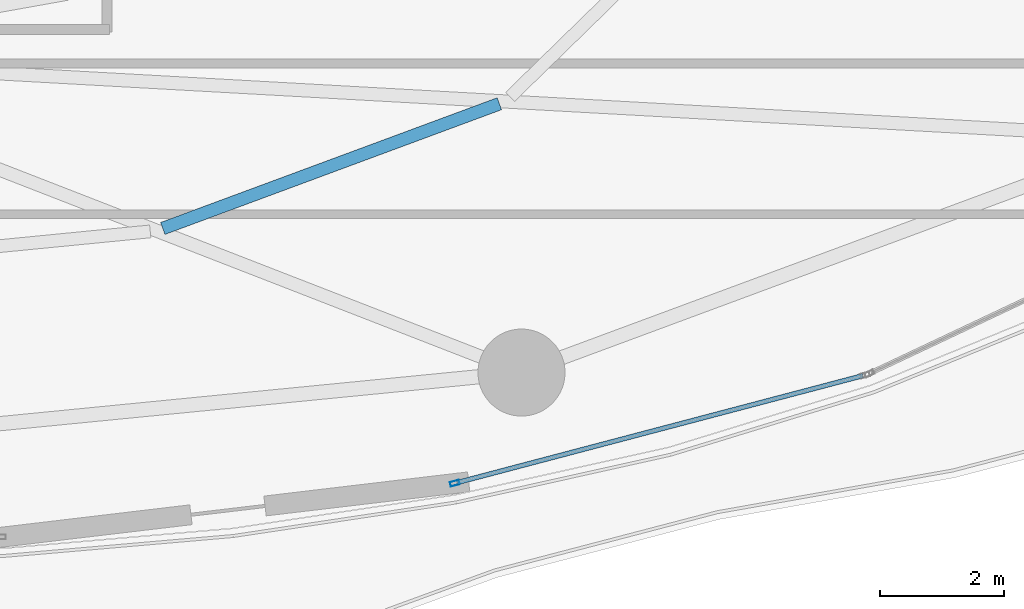
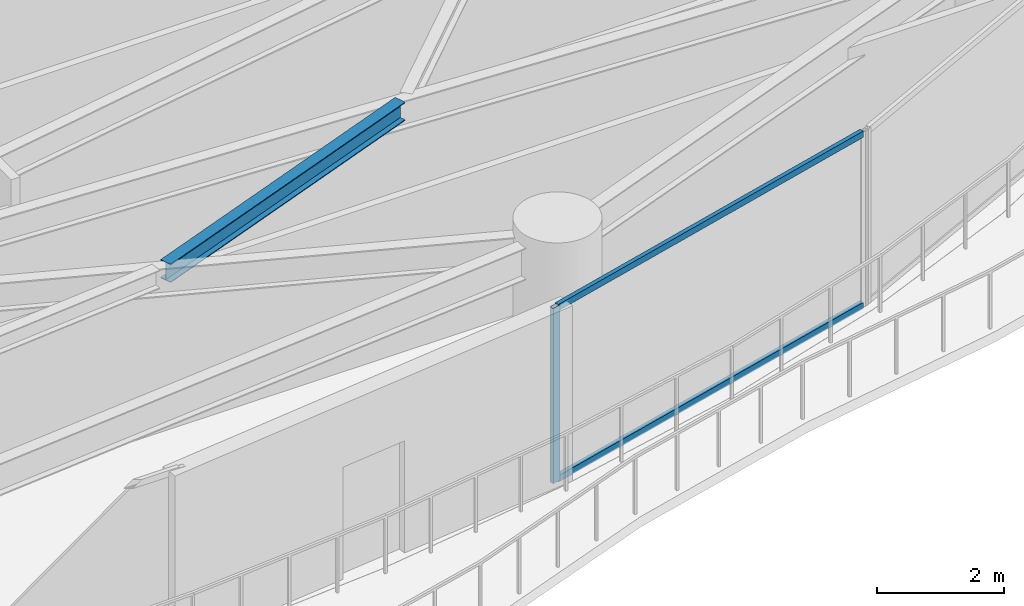
# One storey, part 12 of 32: 3 members, 1 beam, 1 element without a shape of its own.
"""IFC4 building model written with IfcOpenShell, lengths in metres."""

from ifc_helpers import new_model, si_unit, direction, frame, origin, origin_2d, place, context, subcontext, project, spatial, hollow_rectangle, i_section, extrude, material, layer, layer_set, material_profile, profile_set, type_object, element, aggregate, save


model = new_model("IFC4")

# Units and contexts
model_context = context("Model", 3, precision=1e-05, world=origin(), true_north=direction((0.0, 1.0)))
body_context = subcontext(model_context, "Body", "Model", "MODEL_VIEW")
ifc_project = project(units=[si_unit("LENGTHUNIT", "METRE"), si_unit("AREAUNIT", "SQUARE_METRE"), si_unit("VOLUMEUNIT", "CUBIC_METRE"), si_unit("PLANEANGLEUNIT", "RADIAN"), si_unit("MASSUNIT", "GRAM", prefix="KILO")], contexts=[model_context])

# Site, building, storey
site_placement = place(None, origin())
site = spatial("IfcSite", under=ifc_project, at=site_placement, CompositionType="ELEMENT")
building_placement = place(site_placement, origin())
building = spatial("IfcBuilding", under=site, at=building_placement, Name="Kazevale Care Tower and Concert Hall", CompositionType="ELEMENT")
storey_placement = place(building_placement, frame((0.0, 0.0, 85.199951171875)))
storey = spatial("IfcBuildingStorey", under=building, at=storey_placement, Name="L22", CompositionType="ELEMENT", Elevation=85.199951171875)

# Curtain wall, members
ifc_material_1 = material(Name="Aluminium 6063-T6 and Low-E Glass", Category="aluminium")
ifc_layer = layer(ifc_material_1, 0.179931640625)
ifc_layer_set = layer_set([ifc_layer], Name="Aluminium 6063-T6 and Low-E Glass")
curtain_wall_type = type_object("IfcCurtainWallType", Name="Sheltered Concave Balcony Curtain Wall CW-5", PredefinedType="NOTDEFINED", material=ifc_layer_set)
curtain_wall_placement = place(storey_placement, origin())
curtain_wall = element("IfcCurtainWall", 1, at=curtain_wall_placement, inside=storey, type_object=curtain_wall_type, Name="cw:L22:f04", PredefinedType="NOTDEFINED")
ifc_material_2 = material(Name="Aluminium 6063-T6", Category="aluminium")
ifc_material_profile_1 = material_profile(ifc_material_2, hollow_rectangle(XDim=0.074951171875, YDim=0.14990234375, WallThickness=0.00390625, at=origin_2d()), Name="ALU75x150x4")
ifc_profile_set_1 = profile_set([ifc_material_profile_1], Name="Aluminium 6063-T6")
member_type_1 = type_object("IfcMemberType", Name="CW-5 Mullion ALU75x150x4", PredefinedType="MULLION", material=ifc_profile_set_1)
member_1_placement = place(storey_placement, frame((55.96826171875, 16.75048828125, 0.0), z_axis=(0.0, 0.0, 1.0), x_axis=(0.254828630267, -0.966986230097, 0.0)))
member_1 = element("IfcMember", 2, at=member_1_placement, type_object=member_type_1, Name="CW-5 mullion 2", PredefinedType="MULLION", context=body_context, shape_type="SweptSolid", body=[
    extrude(hollow_rectangle(XDim=0.074951171875, YDim=0.14990234375, WallThickness=0.00390625, at=origin_2d()), origin(), (0.0, 0.0, 1.0), 3.360107421875),
])
ifc_material_profile_2 = material_profile(ifc_material_2, hollow_rectangle(XDim=0.074951171875, YDim=0.1201171875, WallThickness=0.00390625, at=origin_2d()), Name="ALU75x120x4")
ifc_profile_set_2 = profile_set([ifc_material_profile_2], Name="Aluminium 6063-T6")
member_type_2 = type_object("IfcMemberType", Name="CW-5 Transom ALU75x120x4", PredefinedType="USERDEFINED", material=ifc_profile_set_2)
member_2_placement = place(storey_placement, frame((62.530517578125, 18.47998046875, 0.03759765625), z_axis=(-0.966978405759, -0.254858319064, 0.0), x_axis=(0.254858319064, -0.966978405759, 0.0)))
member_2 = element("IfcMember", 3, at=member_2_placement, type_object=member_type_2, Name="CW-5 transom 1.1", ObjectType="TRANSOM", PredefinedType="USERDEFINED", context=body_context, shape_type="SweptSolid", body=[
    extrude(hollow_rectangle(XDim=0.074951171875, YDim=0.1201171875, WallThickness=0.00390625, at=origin_2d()), origin(), (0.0, 0.0, 1.0), 6.748779296875),
])
member_3_placement = place(storey_placement, frame((62.530517578125, 18.47998046875, 3.322509765625), z_axis=(-0.966978405759, -0.254858319064, 0.0), x_axis=(0.254858319064, -0.966978405759, 0.0)))
member_3 = element("IfcMember", 4, at=member_3_placement, type_object=member_type_2, Name="CW-5 transom 1.2", ObjectType="TRANSOM", PredefinedType="USERDEFINED", context=body_context, shape_type="SweptSolid", body=[
    extrude(hollow_rectangle(XDim=0.074951171875, YDim=0.1201171875, WallThickness=0.00390625, at=origin_2d()), origin(), (0.0, 0.0, 1.0), 6.748779296875),
])
aggregate(curtain_wall, [member_1, member_2, member_3])

# Beam
ifc_material_3 = material(Name="Steel ASTM A572 Gr 50", Category="steel")
ifc_material_profile_3 = material_profile(ifc_material_3, i_section(OverallWidth=0.205078125, OverallDepth=0.35400390625, WebThickness=0.009521484375, FlangeThickness=0.016845703125, at=origin_2d()), Name="W360x79")
ifc_profile_set_3 = profile_set([ifc_material_profile_3], Name="Steel ASTM A572 Gr 50")
beam_type = type_object("IfcBeamType", Name="Secondary Floor Joist W360x79", PredefinedType="JOIST", material=ifc_profile_set_3)
beam_placement = place(storey_placement, frame((51.27001953125, 20.847900390625, 3.18310546875), z_axis=(0.937698254396, 0.347450692477, 0.0), x_axis=(-0.347450692477, 0.937698254396, 0.0)))
element("IfcBeam", 5, at=beam_placement, inside=storey, type_object=beam_type, Name="beam:L22:joist:14", PredefinedType="JOIST", context=body_context, shape_type="SweptSolid", body=[
    extrude(i_section(OverallWidth=0.205078125, OverallDepth=0.35400390625, WebThickness=0.009521484375, FlangeThickness=0.016845703125, at=origin_2d()), origin(), (0.0, 0.0, 1.0), 5.773681640625),
])

save(model, "model.ifc")
